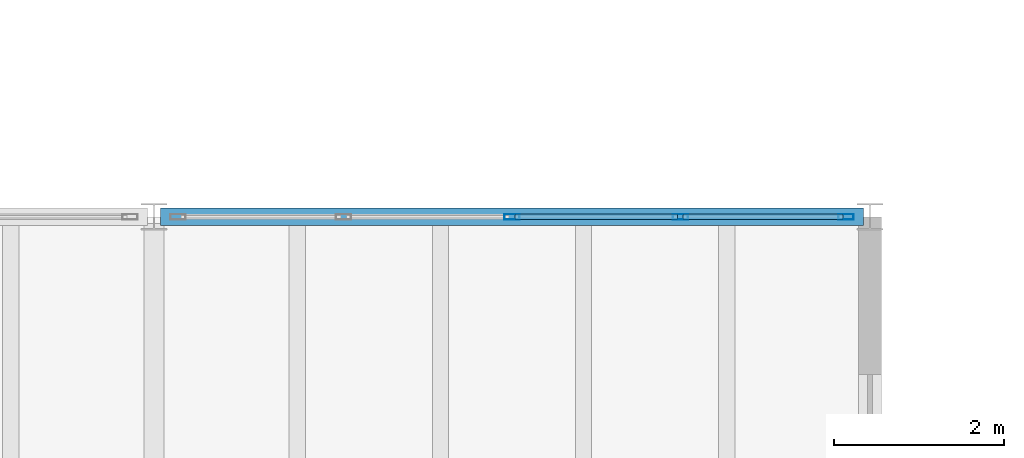
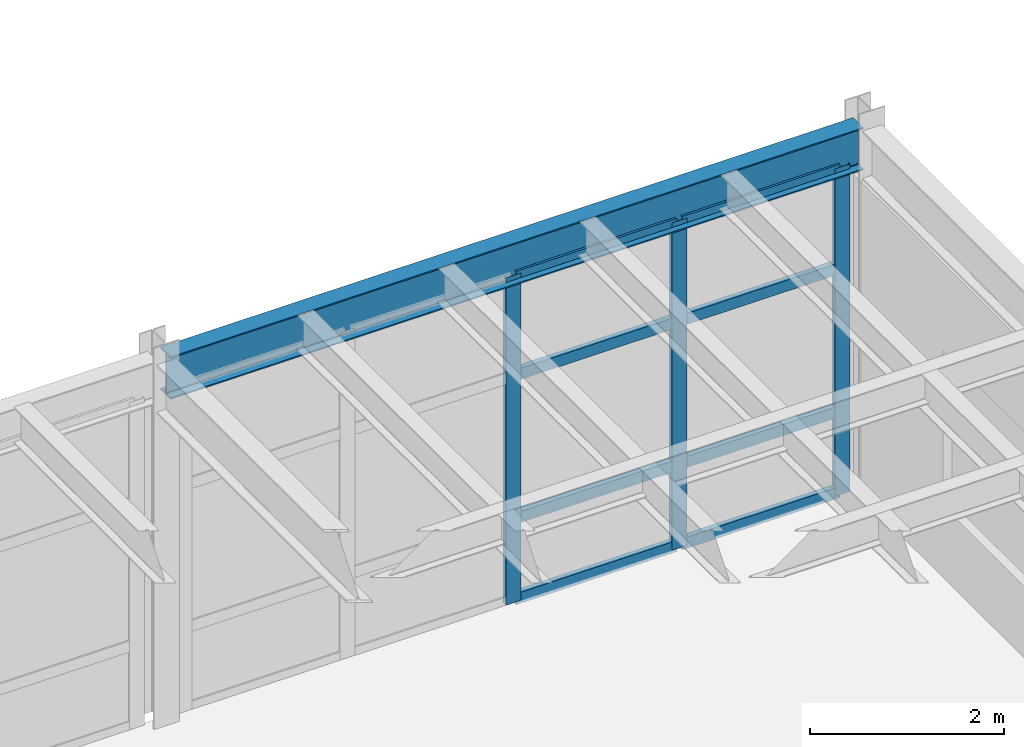
# One storey, part 55 of 116: 11 members, 1 beam, 1 element without a shape of its own.
"""IFC4 building model written with IfcOpenShell, lengths in metres."""

from ifc_helpers import new_model, si_unit, direction, frame, origin, origin_2d, place, context, subcontext, project, spatial, hollow_rectangle, i_section, extrude, material, layer, layer_set, material_profile, profile_set, type_object, element, aggregate, save


model = new_model("IFC4")

# Units and contexts
model_context = context("Model", 3, precision=1e-05, world=origin(), true_north=direction((0.0, 1.0)))
body_context = subcontext(model_context, "Body", "Model", "MODEL_VIEW")
ifc_project = project(units=[si_unit("LENGTHUNIT", "METRE"), si_unit("AREAUNIT", "SQUARE_METRE"), si_unit("VOLUMEUNIT", "CUBIC_METRE"), si_unit("PLANEANGLEUNIT", "RADIAN"), si_unit("MASSUNIT", "GRAM", prefix="KILO")], contexts=[model_context])

# Site, building, storey
site_placement = place(None, origin())
site = spatial("IfcSite", under=ifc_project, at=site_placement, CompositionType="ELEMENT")
building_placement = place(site_placement, origin())
building = spatial("IfcBuilding", under=site, at=building_placement, Name="Selat Folded Stagehouse", CompositionType="ELEMENT")
storey_placement = place(building_placement, frame((0.0, 0.0, 5.39990234375)))
storey = spatial("IfcBuildingStorey", under=building, at=storey_placement, Name="L01", CompositionType="ELEMENT", Elevation=5.39990234375)

# Beam
ifc_material_1 = material(Name="Steel S355", Category="steel")
ifc_material_profile_1 = material_profile(ifc_material_1, i_section(OverallWidth=0.209228515625, OverallDepth=0.533203125, WebThickness=0.010009765625, FlangeThickness=0.015625, FilletRadius=0.0126953125, at=origin_2d()), Name="UKB 533x210x92")
ifc_profile_set_1 = profile_set([ifc_material_profile_1], Name="Steel S355")
beam_type = type_object("IfcBeamType", Name="BM-GIRD-533x210x92", PredefinedType="BEAM", material=ifc_profile_set_1)
beam_placement = place(storey_placement, frame((109.277099609375, 17.800048828125, 4.3134765625), z_axis=(1.0, 0.0, 0.0), x_axis=(0.0, 1.0, 0.0)))
element("IfcBeam", 1, at=beam_placement, inside=storey, type_object=beam_type, Name="L01 primary x-girder 0775", PredefinedType="BEAM", context=body_context, shape_type="SweptSolid", body=[
    extrude(i_section(OverallWidth=0.209228515625, OverallDepth=0.533203125, WebThickness=0.010009765625, FlangeThickness=0.015625, FilletRadius=0.0126953125, at=origin_2d()), origin(), (0.0, 0.0, 1.0), 8.245849609375),
])

# Curtain wall, members
ifc_material_2 = material(Name="Aluminium 6063-T6", Category="aluminium")
ifc_layer = layer(ifc_material_2, 0.195068359375)
ifc_layer_set = layer_set([ifc_layer], Name="Aluminium 6063-T6")
curtain_wall_type = type_object("IfcCurtainWallType", Name="CW-FYR-COURT", PredefinedType="NOTDEFINED", material=ifc_layer_set)
curtain_wall_placement = place(storey_placement, origin())
curtain_wall = element("IfcCurtainWall", 2, at=curtain_wall_placement, inside=storey, type_object=curtain_wall_type, Name="L01 curtain wall CW-FYR-L01-13", PredefinedType="NOTDEFINED")
ifc_material_profile_2 = material_profile(ifc_material_2, hollow_rectangle(XDim=0.06494140625, YDim=0.179931640625, WallThickness=0.00390625, at=origin_2d()), Name="ALU 180x65x4.0")
ifc_profile_set_2 = profile_set([ifc_material_profile_2], Name="Aluminium 6063-T6")
member_type_1 = type_object("IfcMemberType", Name="CWM-MUL-180x65", PredefinedType="MULLION", material=ifc_profile_set_2)
member_1_placement = place(storey_placement, frame((113.39990234375, 17.800048828125, 0.0), z_axis=(0.0, 0.0, 1.0), x_axis=(0.0, 1.0, 0.0)))
member_1 = element("IfcMember", 3, at=member_1_placement, type_object=member_type_1, Name="CW-05 mullion 3", PredefinedType="MULLION", context=body_context, shape_type="SweptSolid", body=[
    extrude(hollow_rectangle(XDim=0.06494140625, YDim=0.179931640625, WallThickness=0.00390625, at=origin_2d()), origin(), (0.0, 0.0, 1.0), 4.1201171875),
])
member_2_placement = place(storey_placement, frame((115.375, 17.800048828125, 0.0), z_axis=(0.0, 0.0, 1.0), x_axis=(0.0, 1.0, 0.0)))
member_2 = element("IfcMember", 4, at=member_2_placement, type_object=member_type_1, Name="CW-05 mullion 4", PredefinedType="MULLION", context=body_context, shape_type="SweptSolid", body=[
    extrude(hollow_rectangle(XDim=0.06494140625, YDim=0.179931640625, WallThickness=0.00390625, at=origin_2d()), origin(), (0.0, 0.0, 1.0), 4.1201171875),
])
member_3_placement = place(storey_placement, frame((117.3173828125, 17.800048828125, 0.0), z_axis=(0.0, 0.0, 1.0), x_axis=(0.0, 1.0, 0.0)))
member_3 = element("IfcMember", 5, at=member_3_placement, type_object=member_type_1, Name="CW-05 mullion 5", PredefinedType="MULLION", context=body_context, shape_type="SweptSolid", body=[
    extrude(hollow_rectangle(XDim=0.06494140625, YDim=0.179931640625, WallThickness=0.00390625, at=origin_2d()), origin(), (0.0, 0.0, 1.0), 4.1201171875),
])
ifc_material_profile_3 = material_profile(ifc_material_2, hollow_rectangle(XDim=0.06494140625, YDim=0.139892578125, WallThickness=0.00390625, at=origin_2d()), Name="ALU 140x65x4.0")
ifc_profile_set_3 = profile_set([ifc_material_profile_3], Name="Aluminium 6063-T6")
member_type_2 = type_object("IfcMemberType", Name="CWM-TRN-140x65", PredefinedType="USERDEFINED", material=ifc_profile_set_3)
member_4_placement = place(storey_placement, frame((113.4326171875, 17.800048828125, 0.03271484375), z_axis=(1.0, 0.0, 0.0), x_axis=(0.0, 1.0, 0.0)))
member_4 = element("IfcMember", 6, at=member_4_placement, type_object=member_type_2, Name="CW-05 transom 3.1", ObjectType="TRANSOM", PredefinedType="USERDEFINED", context=body_context, shape_type="SweptSolid", body=[
    extrude(hollow_rectangle(XDim=0.06494140625, YDim=0.139892578125, WallThickness=0.00390625, at=origin_2d()), origin(), (0.0, 0.0, 1.0), 1.909912109375),
])
member_5_placement = place(storey_placement, frame((113.4326171875, 17.800048828125, 1.050048828125), z_axis=(1.0, 0.0, 0.0), x_axis=(0.0, 1.0, 0.0)))
member_5 = element("IfcMember", 7, at=member_5_placement, type_object=member_type_2, Name="CW-05 transom 3.2", ObjectType="TRANSOM", PredefinedType="USERDEFINED", context=body_context, shape_type="SweptSolid", body=[
    extrude(hollow_rectangle(XDim=0.06494140625, YDim=0.139892578125, WallThickness=0.00390625, at=origin_2d()), origin(), (0.0, 0.0, 1.0), 1.909912109375),
])
member_6_placement = place(storey_placement, frame((113.4326171875, 17.800048828125, 2.85009765625), z_axis=(1.0, 0.0, 0.0), x_axis=(0.0, 1.0, 0.0)))
member_6 = element("IfcMember", 8, at=member_6_placement, type_object=member_type_2, Name="CW-05 transom 3.3", ObjectType="TRANSOM", PredefinedType="USERDEFINED", context=body_context, shape_type="SweptSolid", body=[
    extrude(hollow_rectangle(XDim=0.06494140625, YDim=0.139892578125, WallThickness=0.00390625, at=origin_2d()), origin(), (0.0, 0.0, 1.0), 1.909912109375),
])
member_7_placement = place(storey_placement, frame((113.4326171875, 17.800048828125, 4.087646484375), z_axis=(1.0, 0.0, 0.0), x_axis=(0.0, 1.0, 0.0)))
member_7 = element("IfcMember", 9, at=member_7_placement, type_object=member_type_2, Name="CW-05 transom 3.4", ObjectType="TRANSOM", PredefinedType="USERDEFINED", context=body_context, shape_type="SweptSolid", body=[
    extrude(hollow_rectangle(XDim=0.06494140625, YDim=0.139892578125, WallThickness=0.00390625, at=origin_2d()), origin(), (0.0, 0.0, 1.0), 1.909912109375),
])
member_8_placement = place(storey_placement, frame((115.407470703125, 17.800048828125, 0.03271484375), z_axis=(1.0, 0.0, 0.0), x_axis=(0.0, 1.0, 0.0)))
member_8 = element("IfcMember", 10, at=member_8_placement, type_object=member_type_2, Name="CW-05 transom 4.1", ObjectType="TRANSOM", PredefinedType="USERDEFINED", context=body_context, shape_type="SweptSolid", body=[
    extrude(hollow_rectangle(XDim=0.06494140625, YDim=0.139892578125, WallThickness=0.00390625, at=origin_2d()), origin(), (0.0, 0.0, 1.0), 1.87744140625),
])
member_9_placement = place(storey_placement, frame((115.407470703125, 17.800048828125, 1.050048828125), z_axis=(1.0, 0.0, 0.0), x_axis=(0.0, 1.0, 0.0)))
member_9 = element("IfcMember", 11, at=member_9_placement, type_object=member_type_2, Name="CW-05 transom 4.2", ObjectType="TRANSOM", PredefinedType="USERDEFINED", context=body_context, shape_type="SweptSolid", body=[
    extrude(hollow_rectangle(XDim=0.06494140625, YDim=0.139892578125, WallThickness=0.00390625, at=origin_2d()), origin(), (0.0, 0.0, 1.0), 1.87744140625),
])
member_10_placement = place(storey_placement, frame((115.407470703125, 17.800048828125, 2.85009765625), z_axis=(1.0, 0.0, 0.0), x_axis=(0.0, 1.0, 0.0)))
member_10 = element("IfcMember", 12, at=member_10_placement, type_object=member_type_2, Name="CW-05 transom 4.3", ObjectType="TRANSOM", PredefinedType="USERDEFINED", context=body_context, shape_type="SweptSolid", body=[
    extrude(hollow_rectangle(XDim=0.06494140625, YDim=0.139892578125, WallThickness=0.00390625, at=origin_2d()), origin(), (0.0, 0.0, 1.0), 1.87744140625),
])
member_11_placement = place(storey_placement, frame((115.407470703125, 17.800048828125, 4.087646484375), z_axis=(1.0, 0.0, 0.0), x_axis=(0.0, 1.0, 0.0)))
member_11 = element("IfcMember", 13, at=member_11_placement, type_object=member_type_2, Name="CW-05 transom 4.4", ObjectType="TRANSOM", PredefinedType="USERDEFINED", context=body_context, shape_type="SweptSolid", body=[
    extrude(hollow_rectangle(XDim=0.06494140625, YDim=0.139892578125, WallThickness=0.00390625, at=origin_2d()), origin(), (0.0, 0.0, 1.0), 1.87744140625),
])
aggregate(curtain_wall, [member_1, member_2, member_3, member_4, member_5, member_6, member_7, member_8, member_9, member_10, member_11])

save(model, "model.ifc")
